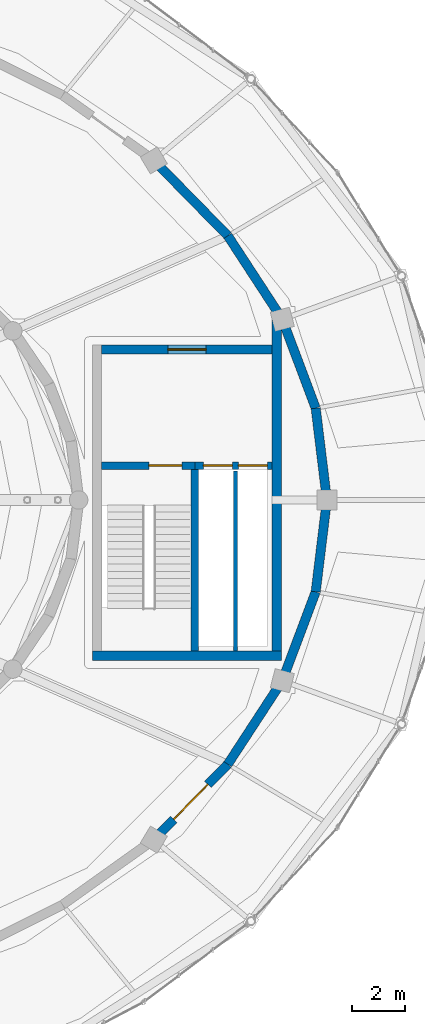
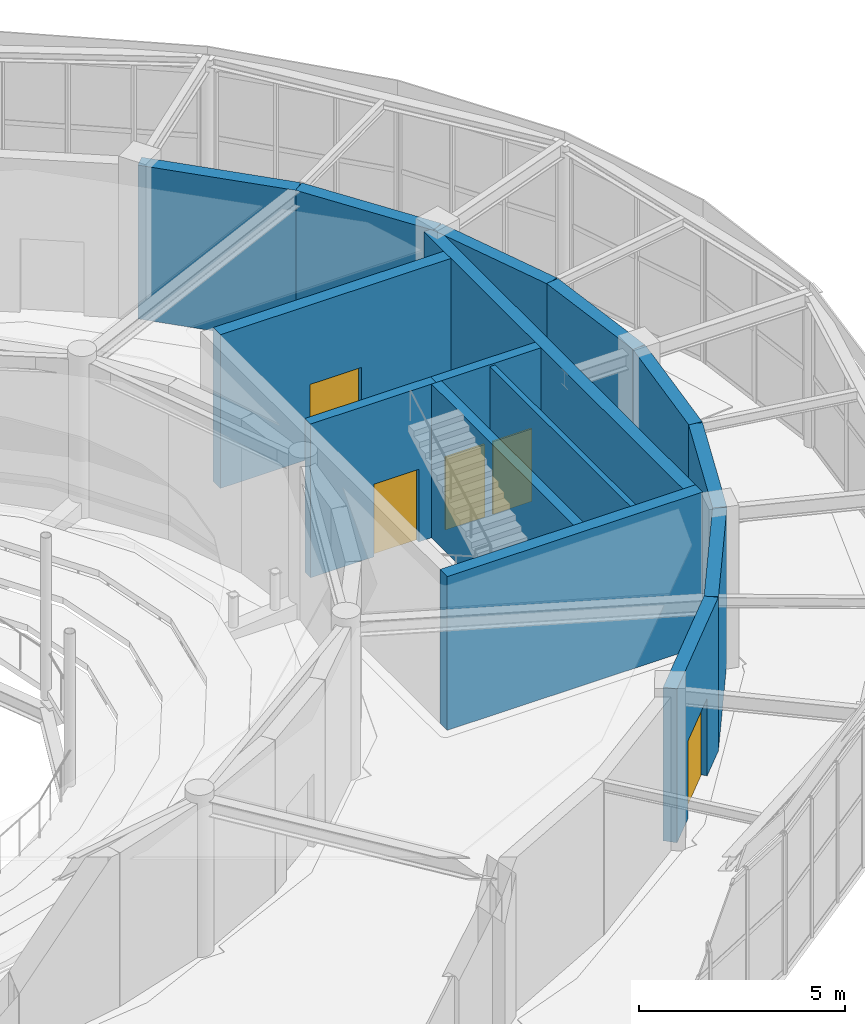
# One storey, part 90 of 108: 15 walls, 5 doors, 5 openings.
"""IFC4 building model written with IfcOpenShell, lengths in metres."""

from ifc_helpers import new_model, si_unit, direction, frame, frame_2d, origin, place, context, subcontext, project, spatial, rectangle, extrude, material, layer, layer_set, type_object, element, fill, save


model = new_model("IFC4")

# Units and contexts
model_context = context("Model", 3, precision=1e-05, world=origin(), true_north=direction((0.0, 1.0)))
body_context = subcontext(model_context, "Body", "Model", "MODEL_VIEW")
ifc_project = project(units=[si_unit("LENGTHUNIT", "METRE"), si_unit("AREAUNIT", "SQUARE_METRE"), si_unit("VOLUMEUNIT", "CUBIC_METRE"), si_unit("PLANEANGLEUNIT", "RADIAN"), si_unit("MASSUNIT", "GRAM", prefix="KILO")], contexts=[model_context])

# Site, building, storey
site_placement = place(None, origin())
site = spatial("IfcSite", under=ifc_project, at=site_placement, CompositionType="ELEMENT")
building_placement = place(site_placement, origin())
building = spatial("IfcBuilding", under=site, at=building_placement, Name="Tarnveldt Headland Concert Hall", CompositionType="ELEMENT")
storey_placement = place(building_placement, frame((0.0, 0.0, 9.60009765625)))
storey = spatial("IfcBuildingStorey", under=building, at=storey_placement, Name="L02", CompositionType="ELEMENT", Elevation=9.60009765625)

# Walls
ifc_material_1 = material(Name="Concrete C40/50", Category="concrete")
ifc_layer_1 = layer(ifc_material_1, 0.35009765625, Name="Concrete C40/50", Category="concrete")
ifc_layer_set_1 = layer_set([ifc_layer_1], Name="Concrete C40/50")
wall_type_1 = type_object("IfcWallType", Name="WL-CR350", PredefinedType="SHEAR", material=ifc_layer_set_1)
wall_1_placement = place(storey_placement, frame((111.5, 54.5, 0.0), z_axis=(0.0, 0.0, 1.0), x_axis=(-0.121552414401, 0.99258501427, 0.0)))
element("IfcWall", 1, at=wall_1_placement, inside=storey, type_object=wall_type_1, Name="Symphony drum shear wall L02-1", PredefinedType="SHEAR", context=body_context, shape_type="SweptSolid", body=[
    extrude(rectangle(XDim=3.498779296875, YDim=0.35009765625, at=frame_2d((1.74951171875, 0.0))), origin(), (0.0, 0.0, 1.0), 4.5498046875),
])
wall_2_placement = place(storey_placement, frame((111.07470703125, 57.972900390625, 0.0), z_axis=(0.0, 0.0, 1.0), x_axis=(-0.351279653979, 0.936270583058, 0.0)))
element("IfcWall", 2, at=wall_2_placement, inside=storey, type_object=wall_type_1, Name="Symphony drum shear wall L02-2", PredefinedType="SHEAR", context=body_context, shape_type="SweptSolid", body=[
    extrude(rectangle(XDim=3.5966796875, YDim=0.35009765625, at=frame_2d((1.79833984375, 0.0))), origin(), (0.0, 0.0, 1.0), 4.5498046875),
])
wall_3_placement = place(storey_placement, frame((109.811279296875, 61.34033203125, 0.0), z_axis=(0.0, 0.0, 1.0), x_axis=(-0.546611158382, 0.837386554425, 0.0)))
element("IfcWall", 3, at=wall_3_placement, inside=storey, type_object=wall_type_1, Name="Symphony drum shear wall L02-3", PredefinedType="SHEAR", context=body_context, shape_type="SweptSolid", body=[
    extrude(rectangle(XDim=3.773193359375, YDim=0.35009765625, at=frame_2d((1.88671875, 0.0))), origin(), (0.0, 0.0, 1.0), 4.5498046875),
])
wall_4_placement = place(storey_placement, frame((107.748779296875, 64.5, 0.0), z_axis=(0.0, 0.0, 1.0), x_axis=(-0.700051268358, 0.714092586203, 0.0)))
element("IfcWall", 4, at=wall_4_placement, inside=storey, type_object=wall_type_1, Name="Symphony drum shear wall L02-4", PredefinedType="SHEAR", context=body_context, shape_type="SweptSolid", body=[
    extrude(rectangle(XDim=3.9990234375, YDim=0.35009765625, at=frame_2d((1.99951171875, 0.0))), origin(), (0.0, 0.0, 1.0), 4.5498046875),
])

# Wall, opening, door
wall_5_placement = place(storey_placement, frame((104.94921875, 41.644287109375, 0.0), z_axis=(0.0, 0.0, 1.0), x_axis=(0.700051268358, 0.714092586203, 0.0)))
wall_5 = element("IfcWall", 5, at=wall_5_placement, inside=storey, type_object=wall_type_1, Name="Symphony drum shear wall L02-33", PredefinedType="SHEAR", context=body_context, shape_type="SweptSolid", body=[
    extrude(rectangle(XDim=3.9990234375, YDim=0.35009765625, at=frame_2d((1.99951171875, 0.0))), origin(), (0.0, 0.0, 1.0), 4.5498046875),
])
opening_1_placement = place(wall_5_placement, frame((1.074462890625, 0.0, 0.0)))
opening_1 = element("IfcOpeningElement", 6, at=opening_1_placement, cuts=wall_5, Name="Opening AD-O024", PredefinedType="OPENING", context=body_context, shape_type="SweptSolid", body=[
    extrude(rectangle(XDim=1.85009765625, YDim=2.300048828125, at=frame_2d((0.925048828125, 1.14990234375))), frame((0.0, 0.18505859375, 0.0), z_axis=(0.0, -1.0, 0.0), x_axis=(1.0, 0.0, 0.0)), (0.0, 0.0, 1.0), 0.3701171875),
])
ifc_material_2 = material(Name="Treated East African mvule hardwood", Category="wood")
door_type_1 = type_object("IfcDoorType", Name="DR-AC185", OperationType="NOTDEFINED", PredefinedType="DOOR", material=ifc_material_2)
door_1_placement = place(opening_1_placement, origin())
door_1 = element("IfcDoor", 7, at=door_1_placement, inside=storey, type_object=door_type_1, Name="Drum concourse acoustic door L02-33", OperationType="SINGLE_SWING_RIGHT", OverallHeight=2.300048828125, OverallWidth=1.85009765625, PredefinedType="DOOR", context=body_context, shape_type="SweptSolid", body=[
    extrude(rectangle(XDim=1.85009765625, YDim=2.300048828125, at=frame_2d((0.925048828125, 1.14990234375))), frame((0.0, 0.02490234375, 0.0), z_axis=(0.0, -1.0, 0.0), x_axis=(1.0, 0.0, 0.0)), (0.0, 0.0, 1.0), 0.050048828125),
])
fill(opening_1, door_1)

# Walls
wall_6_placement = place(storey_placement, frame((107.748779296875, 44.5, 0.0), z_axis=(0.0, 0.0, 1.0), x_axis=(0.546611158382, 0.837386554425, 0.0)))
element("IfcWall", 8, at=wall_6_placement, inside=storey, type_object=wall_type_1, Name="Symphony drum shear wall L02-34", PredefinedType="SHEAR", context=body_context, shape_type="SweptSolid", body=[
    extrude(rectangle(XDim=3.773193359375, YDim=0.35009765625, at=frame_2d((1.88671875, 0.0))), origin(), (0.0, 0.0, 1.0), 4.5498046875),
])
wall_7_placement = place(storey_placement, frame((109.811279296875, 47.65966796875, 0.0), z_axis=(0.0, 0.0, 1.0), x_axis=(0.351279653979, 0.936270583058, 0.0)))
element("IfcWall", 9, at=wall_7_placement, inside=storey, type_object=wall_type_1, Name="Symphony drum shear wall L02-35", PredefinedType="SHEAR", context=body_context, shape_type="SweptSolid", body=[
    extrude(rectangle(XDim=3.5966796875, YDim=0.35009765625, at=frame_2d((1.79833984375, 0.0))), origin(), (0.0, 0.0, 1.0), 4.5498046875),
])
wall_8_placement = place(storey_placement, frame((111.07470703125, 51.027099609375, 0.0), z_axis=(0.0, 0.0, 1.0), x_axis=(0.121552414401, 0.99258501427, 0.0)))
element("IfcWall", 10, at=wall_8_placement, inside=storey, type_object=wall_type_1, Name="Symphony drum shear wall L02-36", PredefinedType="SHEAR", context=body_context, shape_type="SweptSolid", body=[
    extrude(rectangle(XDim=3.498779296875, YDim=0.35009765625, at=frame_2d((1.74951171875, 0.0))), origin(), (0.0, 0.0, 1.0), 4.5498046875),
])
wall_9_placement = place(storey_placement, frame((102.625, 48.60009765625, 0.0), z_axis=(0.0, 0.0, 1.0), x_axis=(1.0, 0.0, 0.0)))
element("IfcWall", 11, at=wall_9_placement, inside=storey, type_object=wall_type_1, Name="Core C2 south shear wall L02", PredefinedType="SHEAR", context=body_context, shape_type="SweptSolid", body=[
    extrude(rectangle(XDim=7.14990234375, YDim=0.35009765625, at=frame_2d((3.574951171875, 0.0))), origin(), (0.0, 0.0, 1.0), 4.5498046875),
])

# Wall, opening, door
wall_10_placement = place(storey_placement, frame((102.97509765625, 60.199951171875, 0.0), z_axis=(0.0, 0.0, 1.0), x_axis=(1.0, 0.0, 0.0)))
wall_10 = element("IfcWall", 12, at=wall_10_placement, inside=storey, type_object=wall_type_1, Name="Core C2 north shear wall L02", PredefinedType="SHEAR", context=body_context, shape_type="SweptSolid", body=[
    extrude(rectangle(XDim=6.449951171875, YDim=0.35009765625, at=frame_2d((3.22509765625, 0.0))), origin(), (0.0, 0.0, 1.0), 4.5498046875),
])
opening_2_placement = place(wall_10_placement, frame((2.5, 0.0, 0.0)))
opening_2 = element("IfcOpeningElement", 13, at=opening_2_placement, cuts=wall_10, Name="Opening LBD-C2-L02", PredefinedType="OPENING", context=body_context, shape_type="SweptSolid", body=[
    extrude(rectangle(XDim=1.449951171875, YDim=2.199951171875, at=frame_2d((0.72509765625, 1.10009765625))), frame((0.0, 0.18505859375, 0.0), z_axis=(0.0, -1.0, 0.0), x_axis=(1.0, 0.0, 0.0)), (0.0, 0.0, 1.0), 0.3701171875),
])
ifc_material_3 = material(Name="Galvanised painted steel sheet", Category="steel")
door_type_2 = type_object("IfcDoorType", Name="DR-LB145", OperationType="NOTDEFINED", PredefinedType="DOOR", material=ifc_material_3)
door_2_placement = place(opening_2_placement, origin())
door_2 = element("IfcDoor", 14, at=door_2_placement, inside=storey, type_object=door_type_2, Name="Core C2 lobby entrance door L02", OperationType="SINGLE_SWING_LEFT", OverallHeight=2.199951171875, OverallWidth=1.449951171875, PredefinedType="DOOR", context=body_context, shape_type="SweptSolid", body=[
    extrude(rectangle(XDim=1.449951171875, YDim=2.199951171875, at=frame_2d((0.72509765625, 1.10009765625))), frame((0.0, 0.02490234375, 0.0), z_axis=(0.0, -1.0, 0.0), x_axis=(1.0, 0.0, 0.0)), (0.0, 0.0, 1.0), 0.050048828125),
])
fill(opening_2, door_2)

# Walls
wall_11_placement = place(storey_placement, frame((109.60009765625, 48.77490234375, 0.0), z_axis=(0.0, 0.0, 1.0), x_axis=(0.0, 1.0, 0.0)))
element("IfcWall", 15, at=wall_11_placement, inside=storey, type_object=wall_type_1, Name="Core C2 east shear wall L02", PredefinedType="SHEAR", context=body_context, shape_type="SweptSolid", body=[
    extrude(rectangle(XDim=12.565185546875, YDim=0.35009765625, at=frame_2d((6.28271484375, 0.0))), origin(), (0.0, 0.0, 1.0), 4.5498046875),
])
ifc_material_4 = material(Name="Acoustic multi-layer gypsum and mineral-wool partition", Category="gypsum")
ifc_layer_2 = layer(ifc_material_4, 0.14990234375, Name="Acoustic multi-layer gypsum and mineral-wool partition", Category="gypsum")
ifc_layer_set_2 = layer_set([ifc_layer_2], Name="Acoustic multi-layer gypsum and mineral-wool partition")
wall_type_2 = type_object("IfcWallType", Name="WL-PT150", PredefinedType="PARTITIONING", material=ifc_layer_set_2)
wall_12_placement = place(storey_placement, frame((108.032470703125, 48.77490234375, 0.0), z_axis=(0.0, 0.0, 1.0), x_axis=(0.0, 1.0, 0.0)))
element("IfcWall", 16, at=wall_12_placement, inside=storey, type_object=wall_type_2, Name="Core C2 twin lift divider L02", PredefinedType="PARTITIONING", context=body_context, shape_type="SweptSolid", body=[
    extrude(rectangle(XDim=6.8251953125, YDim=0.14990234375, at=frame_2d((3.41259765625, 0.0))), origin(), (0.0, 0.0, 1.0), 4.5439453125),
])
ifc_layer_3 = layer(ifc_material_1, 0.27490234375, Name="Concrete C40/50", Category="concrete")
ifc_layer_set_3 = layer_set([ifc_layer_3], Name="Concrete C40/50")
wall_type_3 = type_object("IfcWallType", Name="WL-SH275", PredefinedType="SHEAR", material=ifc_layer_set_3)
wall_13_placement = place(storey_placement, frame((106.5, 48.77490234375, 0.0), z_axis=(0.0, 0.0, 1.0), x_axis=(0.0, 1.0, 0.0)))
element("IfcWall", 17, at=wall_13_placement, inside=storey, type_object=wall_type_3, Name="Core C2 shaft divider wall L02", PredefinedType="SHEAR", context=body_context, shape_type="SweptSolid", body=[
    extrude(rectangle(XDim=6.8876953125, YDim=0.27490234375, at=frame_2d((3.44384765625, 0.0))), origin(), (0.0, 0.0, 1.0), 4.5498046875),
])

# Wall, opening, door
wall_14_placement = place(storey_placement, frame((102.97509765625, 55.800048828125, 0.0), z_axis=(0.0, 0.0, 1.0), x_axis=(1.0, 0.0, 0.0)))
wall_14 = element("IfcWall", 18, at=wall_14_placement, inside=storey, type_object=wall_type_3, Name="Core C2 stair enclosure wall L02", PredefinedType="SHEAR", context=body_context, shape_type="SweptSolid", body=[
    extrude(rectangle(XDim=3.52490234375, YDim=0.27490234375, at=frame_2d((1.762451171875, 0.0))), origin(), (0.0, 0.0, 1.0), 4.5498046875),
])
opening_3_placement = place(wall_14_placement, frame((1.784912109375, 0.0, 0.0)))
opening_3 = element("IfcOpeningElement", 19, at=opening_3_placement, cuts=wall_14, Name="Opening SD-C2-L02", PredefinedType="OPENING", context=body_context, shape_type="SweptSolid", body=[
    extrude(rectangle(XDim=1.25, YDim=2.14990234375, at=frame_2d((0.625, 1.074951171875))), frame((0.0, 0.1474609375, 0.0), z_axis=(0.0, -1.0, 0.0), x_axis=(1.0, 0.0, 0.0)), (0.0, 0.0, 1.0), 0.294921875),
])
door_type_3 = type_object("IfcDoorType", Name="DR-ST125", OperationType="NOTDEFINED", PredefinedType="DOOR", material=ifc_material_3)
door_3_placement = place(opening_3_placement, origin())
door_3 = element("IfcDoor", 20, at=door_3_placement, inside=storey, type_object=door_type_3, Name="Core C2 stair fire door L02", OperationType="SINGLE_SWING_RIGHT", OverallHeight=2.14990234375, OverallWidth=1.25, PredefinedType="DOOR", context=body_context, shape_type="SweptSolid", body=[
    extrude(rectangle(XDim=1.25, YDim=2.14990234375, at=frame_2d((0.625, 1.074951171875))), frame((0.0, 0.02490234375, 0.0), z_axis=(0.0, -1.0, 0.0), x_axis=(1.0, 0.0, 0.0)), (0.0, 0.0, 1.0), 0.050048828125),
])
fill(opening_3, door_3)

# Wall, openings, doors
wall_15_placement = place(storey_placement, frame((106.5, 55.800048828125, 0.0), z_axis=(0.0, 0.0, 1.0), x_axis=(1.0, 0.0, 0.0)))
wall_15 = element("IfcWall", 21, at=wall_15_placement, inside=storey, type_object=wall_type_3, Name="Core C2 lift shaft front wall L02", PredefinedType="SHEAR", context=body_context, shape_type="SweptSolid", body=[
    extrude(rectangle(XDim=2.925048828125, YDim=0.27490234375, at=frame_2d((1.46240234375, 0.0))), origin(), (0.0, 0.0, 1.0), 4.5498046875),
])
opening_4_placement = place(wall_15_placement, frame((0.320068359375, 0.0, 0.0)))
opening_4 = element("IfcOpeningElement", 22, at=opening_4_placement, cuts=wall_15, Name="Opening LD-LP-02-L02", PredefinedType="OPENING", context=body_context, shape_type="SweptSolid", body=[
    extrude(rectangle(XDim=1.10009765625, YDim=2.14990234375, at=frame_2d((0.550048828125, 1.074951171875))), frame((0.0, 0.1474609375, 0.0), z_axis=(0.0, -1.0, 0.0), x_axis=(1.0, 0.0, 0.0)), (0.0, 0.0, 1.0), 0.294921875),
])
opening_5_placement = place(wall_15_placement, frame((1.64501953125, 0.0, 0.0)))
opening_5 = element("IfcOpeningElement", 23, at=opening_5_placement, cuts=wall_15, Name="Opening LD-LP-03-L02", PredefinedType="OPENING", context=body_context, shape_type="SweptSolid", body=[
    extrude(rectangle(XDim=1.10009765625, YDim=2.14990234375, at=frame_2d((0.550048828125, 1.074951171875))), frame((0.0, 0.1474609375, 0.0), z_axis=(0.0, -1.0, 0.0), x_axis=(1.0, 0.0, 0.0)), (0.0, 0.0, 1.0), 0.294921875),
])
door_type_4 = type_object("IfcDoorType", Name="LD-110", OperationType="NOTDEFINED", PredefinedType="DOOR", material=ifc_material_3)
door_4_placement = place(opening_4_placement, origin())
door_4 = element("IfcDoor", 24, at=door_4_placement, inside=storey, type_object=door_type_4, Name="Lift LP-02 sliding landing door L02", OperationType="DOUBLE_DOOR_SLIDING", OverallHeight=2.14990234375, OverallWidth=1.10009765625, PredefinedType="DOOR", context=body_context, shape_type="SweptSolid", body=[
    extrude(rectangle(XDim=1.10009765625, YDim=2.14990234375, at=frame_2d((0.550048828125, 1.074951171875))), frame((0.0, 0.02490234375, 0.0), z_axis=(0.0, -1.0, 0.0), x_axis=(1.0, 0.0, 0.0)), (0.0, 0.0, 1.0), 0.050048828125),
])
fill(opening_4, door_4)
door_5_placement = place(opening_5_placement, origin())
door_5 = element("IfcDoor", 25, at=door_5_placement, inside=storey, type_object=door_type_4, Name="Lift LP-03 sliding landing door L02", OperationType="DOUBLE_DOOR_SLIDING", OverallHeight=2.14990234375, OverallWidth=1.10009765625, PredefinedType="DOOR", context=body_context, shape_type="SweptSolid", body=[
    extrude(rectangle(XDim=1.10009765625, YDim=2.14990234375, at=frame_2d((0.550048828125, 1.074951171875))), frame((0.0, 0.02490234375, 0.0), z_axis=(0.0, -1.0, 0.0), x_axis=(1.0, 0.0, 0.0)), (0.0, 0.0, 1.0), 0.050048828125),
])
fill(opening_5, door_5)

save(model, "model.ifc")
